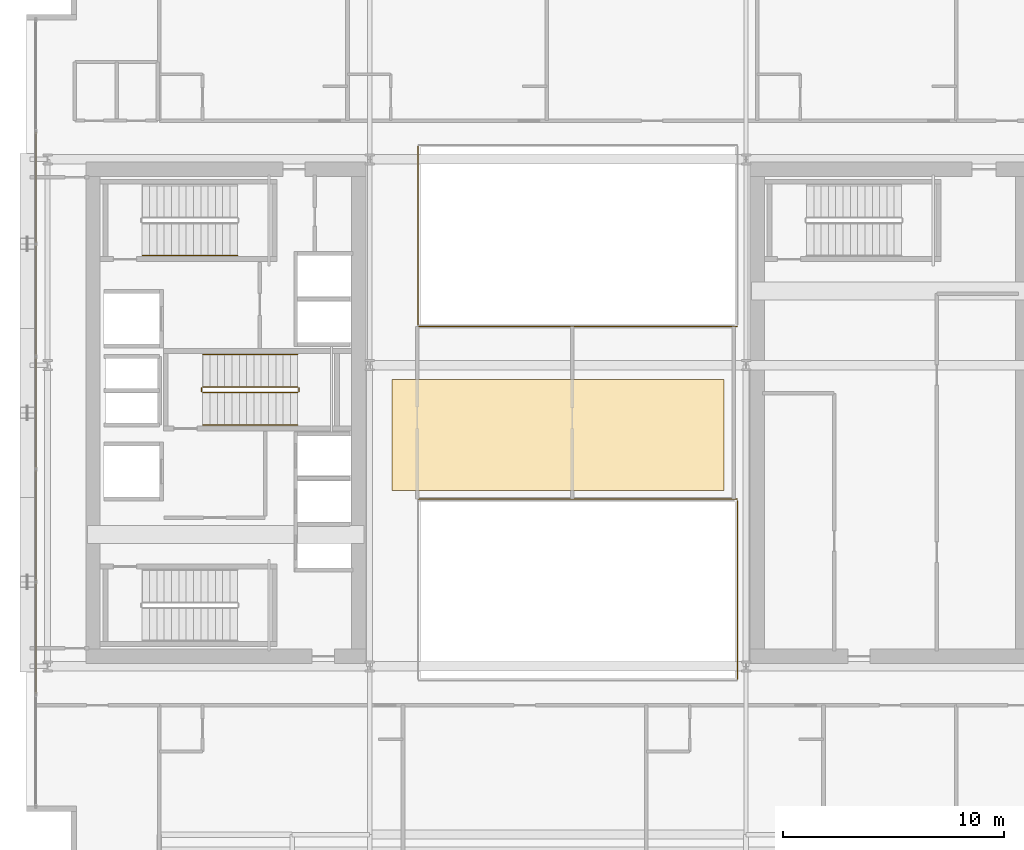
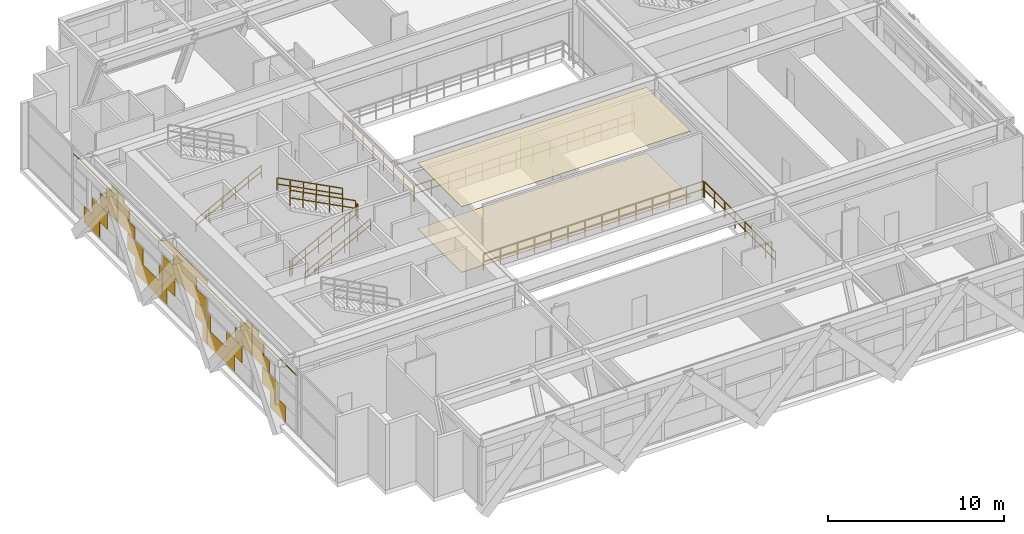
# One storey, part 33 of 35: 11 railings, 3 coverings.
"""IFC4 building model written with IfcOpenShell, lengths in metres."""

from ifc_helpers import new_model, si_unit, direction, frame, origin, origin_2d, place, context, subcontext, project, spatial, polyline, rectangle, outline, extrude, material, layer, layer_set, type_object, element, save


model = new_model("IFC4")

# Units and contexts
model_context = context("Model", 3, precision=1e-05, world=origin(), true_north=direction((0.0, 1.0)))
body_context = subcontext(model_context, "Body", "Model", "MODEL_VIEW")
ifc_project = project(units=[si_unit("LENGTHUNIT", "METRE"), si_unit("AREAUNIT", "SQUARE_METRE"), si_unit("VOLUMEUNIT", "CUBIC_METRE"), si_unit("PLANEANGLEUNIT", "RADIAN"), si_unit("MASSUNIT", "GRAM", prefix="KILO")], contexts=[model_context])

# Site, building, storey
site_placement = place(None, origin())
site = spatial("IfcSite", under=ifc_project, at=site_placement, CompositionType="ELEMENT")
building_placement = place(site_placement, origin())
building = spatial("IfcBuilding", under=site, at=building_placement, Name="Ocotamira Hotel", CompositionType="ELEMENT")
storey_placement = place(building_placement, frame((0.0, 0.0, 158.39990234375)))
storey = spatial("IfcBuildingStorey", under=building, at=storey_placement, Name="L39", CompositionType="ELEMENT", Elevation=158.39990234375)

# Coverings
ifc_material_1 = material(Name="Perforated acoustic gypsum ceiling board", Category="gypsum")
ifc_layer_1 = layer(ifc_material_1, 0.02490234375)
ifc_layer_set_1 = layer_set([ifc_layer_1], Name="Perforated acoustic gypsum ceiling board")
covering_type_1 = type_object("IfcCoveringType", Name="COV-CEIL-25", PredefinedType="CEILING", material=ifc_layer_set_1)
covering_1_placement = place(storey_placement, frame((0.0, 0.0, 4.545166015625)))
element("IfcCovering", 1, at=covering_1_placement, inside=storey, type_object=covering_type_1, Name="L39 Acoustic Ceiling", PredefinedType="CEILING", context=body_context, shape_type="SweptSolid", body=[
    extrude(outline(polyline([(24.5, 22.5), (39.5, 22.5), (39.5, 27.5), (24.5, 27.5), (24.5, 22.5)])), origin(), (0.0, 0.0, 1.0), 0.02490234375),
])
ifc_material_2 = material(Name="Honed desert travertine stone flooring", Category="masonry")
ifc_layer_2 = layer(ifc_material_2, 0.030029296875)
ifc_layer_set_2 = layer_set([ifc_layer_2], Name="Honed desert travertine stone flooring")
covering_type_2 = type_object("IfcCoveringType", Name="COV-FLOR-30", PredefinedType="FLOORING", material=ifc_layer_set_2)
covering_2_placement = place(storey_placement, origin())
element("IfcCovering", 2, at=covering_2_placement, inside=storey, type_object=covering_type_2, Name="L39 Honed Stone Floor Finish", PredefinedType="FLOORING", context=body_context, shape_type="SweptSolid", body=[
    extrude(outline(polyline([(24.5, 22.5), (39.5, 22.5), (39.5, 27.5), (24.5, 27.5), (24.5, 22.5)])), origin(), (0.0, 0.0, 1.0), 0.030029296875),
])
ifc_material_3 = material(Name="Insulated pale-metal aluminium spandrel panel", Category="aluminium")
ifc_layer_3 = layer(ifc_material_3, 0.044921875)
ifc_layer_set_3 = layer_set([ifc_layer_3], Name="Insulated pale-metal aluminium spandrel panel")
covering_type_3 = type_object("IfcCoveringType", Name="COV-INFILL-45", PredefinedType="CLADDING", material=ifc_layer_set_3)
covering_3_placement = place(storey_placement, origin())
element("IfcCovering", 3, at=covering_3_placement, inside=storey, type_object=covering_type_3, Name="L39 Curtain Wall Infill CW-5 CW-L39-W", PredefinedType="CLADDING", context=body_context, shape_type="SweptSolid", body=[
    extrude(rectangle(XDim=1.77001953125, YDim=0.044921875, at=origin_2d()), frame((8.419921875, 15.46630859375, 0.07568359375), z_axis=(0.0, 0.0, 1.0), x_axis=(0.0, 1.0, 0.0)), (0.0, 0.0, 1.0), 1.117919921875),
    extrude(rectangle(XDim=1.77001953125, YDim=0.044921875, at=origin_2d()), frame((8.419921875, 16.3466796875, 1.1943359375), z_axis=(0.0, 0.0, 1.0), x_axis=(0.0, 1.0, 0.0)), (0.0, 0.0, 1.0), 1.117919921875),
    extrude(rectangle(XDim=5.004638671875, YDim=0.044921875, at=origin_2d()), frame((8.419921875, 15.82861328125, 4.048828125), z_axis=(0.0, 0.0, 1.0), x_axis=(0.0, 1.0, 0.0)), (0.0, 0.0, 1.0), 0.073974609375),
    extrude(rectangle(XDim=1.929931640625, YDim=0.044921875, at=origin_2d()), frame((8.419921875, 17.365966796875, 2.38818359375), z_axis=(0.0, 0.0, 1.0), x_axis=(0.0, 1.0, 0.0)), (0.0, 0.0, 1.0), 0.829345703125),
    extrude(rectangle(XDim=1.276611328125, YDim=0.044921875, at=origin_2d()), frame((8.419921875, 17.692626953125, 3.21875), z_axis=(0.0, 0.0, 1.0), x_axis=(0.0, 1.0, 0.0)), (0.0, 0.0, 1.0), 0.829345703125),
    extrude(rectangle(XDim=0.659423828125, YDim=0.044921875, at=origin_2d()), frame((8.419921875, 18.001220703125, 4.12353515625), z_axis=(0.0, 0.0, 1.0), x_axis=(0.0, 1.0, 0.0)), (0.0, 0.0, 1.0), 0.370849609375),
    extrude(rectangle(XDim=1.770263671875, YDim=0.044921875, at=origin_2d()), frame((8.419921875, 20.38671875, 1.1943359375), z_axis=(0.0, 0.0, 1.0), x_axis=(0.0, 1.0, 0.0)), (0.0, 0.0, 1.0), 1.117919921875),
    extrude(rectangle(XDim=3.03466796875, YDim=0.044921875, at=origin_2d()), frame((8.419921875, 21.8994140625, 0.07568359375), z_axis=(0.0, 0.0, 1.0), x_axis=(0.0, 1.0, 0.0)), (0.0, 0.0, 1.0), 1.117919921875),
    extrude(rectangle(XDim=0.32177734375, YDim=0.044921875, at=origin_2d()), frame((8.419921875, 23.255859375, 1.1943359375), z_axis=(0.0, 0.0, 1.0), x_axis=(0.0, 1.0, 0.0)), (0.0, 0.0, 1.0), 1.117919921875),
    extrude(rectangle(XDim=1.92041015625, YDim=0.044921875, at=origin_2d()), frame((8.419921875, 19.3720703125, 2.38818359375), z_axis=(0.0, 0.0, 1.0), x_axis=(0.0, 1.0, 0.0)), (0.0, 0.0, 1.0), 0.829345703125),
    extrude(rectangle(XDim=1.266845703125, YDim=0.044921875, at=origin_2d()), frame((8.419921875, 19.04541015625, 3.21875), z_axis=(0.0, 0.0, 1.0), x_axis=(0.0, 1.0, 0.0)), (0.0, 0.0, 1.0), 0.829345703125),
    extrude(rectangle(XDim=5.004638671875, YDim=0.044921875, at=origin_2d()), frame((8.419921875, 20.914306640625, 4.048828125), z_axis=(0.0, 0.0, 1.0), x_axis=(0.0, 1.0, 0.0)), (0.0, 0.0, 1.0), 0.073974609375),
    extrude(rectangle(XDim=0.64990234375, YDim=0.044921875, at=origin_2d()), frame((8.419921875, 18.73681640625, 4.12353515625), z_axis=(0.0, 0.0, 1.0), x_axis=(0.0, 1.0, 0.0)), (0.0, 0.0, 1.0), 0.370849609375),
    extrude(rectangle(XDim=0.487060546875, YDim=0.044921875, at=origin_2d()), frame((8.419921875, 23.7412109375, 0.07568359375), z_axis=(0.0, 0.0, 1.0), x_axis=(0.0, 1.0, 0.0)), (0.0, 0.0, 1.0), 1.117919921875),
    extrude(rectangle(XDim=1.367431640625, YDim=0.044921875, at=origin_2d()), frame((8.419921875, 24.181396484375, 1.1943359375), z_axis=(0.0, 0.0, 1.0), x_axis=(0.0, 1.0, 0.0)), (0.0, 0.0, 1.0), 1.117919921875),
    extrude(rectangle(XDim=1.367431640625, YDim=0.044921875, at=origin_2d()), frame((8.419921875, 27.818603515625, 1.1943359375), z_axis=(0.0, 0.0, 1.0), x_axis=(0.0, 1.0, 0.0)), (0.0, 0.0, 1.0), 1.117919921875),
    extrude(rectangle(XDim=0.487060546875, YDim=0.044921875, at=origin_2d()), frame((8.419921875, 28.2587890625, 0.07568359375), z_axis=(0.0, 0.0, 1.0), x_axis=(0.0, 1.0, 0.0)), (0.0, 0.0, 1.0), 1.117919921875),
    extrude(rectangle(XDim=5.004638671875, YDim=0.044921875, at=origin_2d()), frame((8.419921875, 26.0, 2.38818359375), z_axis=(0.0, 0.0, 1.0), x_axis=(0.0, 1.0, 0.0)), (0.0, 0.0, 1.0), 0.829345703125),
    extrude(rectangle(XDim=5.004638671875, YDim=0.044921875, at=origin_2d()), frame((8.419921875, 26.0, 4.048828125), z_axis=(0.0, 0.0, 1.0), x_axis=(0.0, 1.0, 0.0)), (0.0, 0.0, 1.0), 0.44580078125),
    extrude(rectangle(XDim=2.62451171875, YDim=0.044921875, at=origin_2d()), frame((8.419921875, 26.0, 3.21875), z_axis=(0.0, 0.0, 1.0), x_axis=(0.0, 1.0, 0.0)), (0.0, 0.0, 1.0), 0.829345703125),
    extrude(rectangle(XDim=3.03466796875, YDim=0.044921875, at=origin_2d()), frame((8.419921875, 30.1005859375, 0.07568359375), z_axis=(0.0, 0.0, 1.0), x_axis=(0.0, 1.0, 0.0)), (0.0, 0.0, 1.0), 1.117919921875),
    extrude(rectangle(XDim=0.32177734375, YDim=0.044921875, at=origin_2d()), frame((8.419921875, 28.744140625, 1.1943359375), z_axis=(0.0, 0.0, 1.0), x_axis=(0.0, 1.0, 0.0)), (0.0, 0.0, 1.0), 1.117919921875),
    extrude(rectangle(XDim=1.770263671875, YDim=0.044921875, at=origin_2d()), frame((8.419921875, 31.61328125, 1.1943359375), z_axis=(0.0, 0.0, 1.0), x_axis=(0.0, 1.0, 0.0)), (0.0, 0.0, 1.0), 1.117919921875),
    extrude(rectangle(XDim=5.004638671875, YDim=0.044921875, at=origin_2d()), frame((8.419921875, 31.085693359375, 4.048828125), z_axis=(0.0, 0.0, 1.0), x_axis=(0.0, 1.0, 0.0)), (0.0, 0.0, 1.0), 0.073974609375),
    extrude(rectangle(XDim=1.92041015625, YDim=0.044921875, at=origin_2d()), frame((8.419921875, 32.6279296875, 2.38818359375), z_axis=(0.0, 0.0, 1.0), x_axis=(0.0, 1.0, 0.0)), (0.0, 0.0, 1.0), 0.829345703125),
    extrude(rectangle(XDim=1.266845703125, YDim=0.044921875, at=origin_2d()), frame((8.419921875, 32.95458984375, 3.21875), z_axis=(0.0, 0.0, 1.0), x_axis=(0.0, 1.0, 0.0)), (0.0, 0.0, 1.0), 0.829345703125),
    extrude(rectangle(XDim=0.64990234375, YDim=0.044921875, at=origin_2d()), frame((8.419921875, 33.26318359375, 4.12353515625), z_axis=(0.0, 0.0, 1.0), x_axis=(0.0, 1.0, 0.0)), (0.0, 0.0, 1.0), 0.370849609375),
    extrude(rectangle(XDim=1.77001953125, YDim=0.044921875, at=origin_2d()), frame((8.419921875, 35.6533203125, 1.1943359375), z_axis=(0.0, 0.0, 1.0), x_axis=(0.0, 1.0, 0.0)), (0.0, 0.0, 1.0), 1.117919921875),
    extrude(rectangle(XDim=1.77001953125, YDim=0.044921875, at=origin_2d()), frame((8.419921875, 36.53369140625, 0.07568359375), z_axis=(0.0, 0.0, 1.0), x_axis=(0.0, 1.0, 0.0)), (0.0, 0.0, 1.0), 1.117919921875),
    extrude(rectangle(XDim=1.929931640625, YDim=0.044921875, at=origin_2d()), frame((8.419921875, 34.634033203125, 2.38818359375), z_axis=(0.0, 0.0, 1.0), x_axis=(0.0, 1.0, 0.0)), (0.0, 0.0, 1.0), 0.829345703125),
    extrude(rectangle(XDim=1.276611328125, YDim=0.044921875, at=origin_2d()), frame((8.419921875, 34.307373046875, 3.21875), z_axis=(0.0, 0.0, 1.0), x_axis=(0.0, 1.0, 0.0)), (0.0, 0.0, 1.0), 0.829345703125),
    extrude(rectangle(XDim=5.004638671875, YDim=0.044921875, at=origin_2d()), frame((8.419921875, 36.17138671875, 4.048828125), z_axis=(0.0, 0.0, 1.0), x_axis=(0.0, 1.0, 0.0)), (0.0, 0.0, 1.0), 0.073974609375),
    extrude(rectangle(XDim=0.659423828125, YDim=0.044921875, at=origin_2d()), frame((8.419921875, 33.998779296875, 4.12353515625), z_axis=(0.0, 0.0, 1.0), x_axis=(0.0, 1.0, 0.0)), (0.0, 0.0, 1.0), 0.370849609375),
])

# Railings
ifc_material_4 = material(Name="Painted steel stair guardrail", Category="steel")
railing_type_1 = type_object("IfcRailingType", Name="RL-EDGE-1150", PredefinedType="GUARDRAIL", material=ifc_material_4)
railing_1_placement = place(storey_placement, frame((40.1201171875, 13.97998046875, 0.0)))
element("IfcRailing", 4, at=railing_1_placement, inside=storey, type_object=railing_type_1, Name="L39 Atrium Bridge Lightwell Guard S E", PredefinedType="GUARDRAIL", context=body_context, shape_type="SweptSolid", body=[
    extrude(rectangle(XDim=0.048095703125, YDim=0.048095703125, at=origin_2d()), frame((0.0, 0.0, 1.1259765625), z_axis=(0.0, 1.0, 0.0), x_axis=(-1.0, 0.0, 0.0)), (0.0, 0.0, 1.0), 8.0400390625),
    extrude(rectangle(XDim=0.048095703125, YDim=0.048095703125, at=origin_2d()), frame((0.0, 0.0, 0.574951171875), z_axis=(0.0, 1.0, 0.0), x_axis=(-1.0, 0.0, 0.0)), (0.0, 0.0, 1.0), 8.0400390625),
    extrude(rectangle(XDim=0.0419921875, YDim=0.0419921875, at=origin_2d()), origin(), (0.0, 0.0, 1.0), 1.101806640625),
    extrude(rectangle(XDim=0.0419921875, YDim=0.0419921875, at=origin_2d()), frame((0.0, 1.148681640625, 0.0)), (0.0, 0.0, 1.0), 1.101806640625),
    extrude(rectangle(XDim=0.0419921875, YDim=0.0419921875, at=origin_2d()), frame((0.0, 2.297119140625, 0.0)), (0.0, 0.0, 1.0), 1.101806640625),
    extrude(rectangle(XDim=0.0419921875, YDim=0.0419921875, at=origin_2d()), frame((0.0, 3.44580078125, 0.0)), (0.0, 0.0, 1.0), 1.101806640625),
    extrude(rectangle(XDim=0.0419921875, YDim=0.0419921875, at=origin_2d()), frame((0.0, 4.59423828125, 0.0)), (0.0, 0.0, 1.0), 1.101806640625),
    extrude(rectangle(XDim=0.0419921875, YDim=0.0419921875, at=origin_2d()), frame((0.0, 5.742919921875, 0.0)), (0.0, 0.0, 1.0), 1.101806640625),
    extrude(rectangle(XDim=0.0419921875, YDim=0.0419921875, at=origin_2d()), frame((0.0, 6.891357421875, 0.0)), (0.0, 0.0, 1.0), 1.101806640625),
    extrude(rectangle(XDim=0.0419921875, YDim=0.0419921875, at=origin_2d()), frame((0.0, 8.0400390625, 0.0)), (0.0, 0.0, 1.0), 1.101806640625),
])
railing_2_placement = place(storey_placement, frame((40.10009765625, 22.10009765625, 0.0)))
element("IfcRailing", 5, at=railing_2_placement, inside=storey, type_object=railing_type_1, Name="L39 Atrium Bridge Lightwell Guard S N", PredefinedType="GUARDRAIL", context=body_context, shape_type="SweptSolid", body=[
    extrude(rectangle(XDim=0.048095703125, YDim=0.048095703125, at=origin_2d()), frame((0.0, 0.0, 1.1259765625), z_axis=(-1.0, 0.0, 0.0), x_axis=(0.0, -1.0, 0.0)), (0.0, 0.0, 1.0), 14.400146484375),
    extrude(rectangle(XDim=0.048095703125, YDim=0.048095703125, at=origin_2d()), frame((0.0, 0.0, 0.574951171875), z_axis=(-1.0, 0.0, 0.0), x_axis=(0.0, -1.0, 0.0)), (0.0, 0.0, 1.0), 14.400146484375),
    extrude(rectangle(XDim=0.0419921875, YDim=0.0419921875, at=origin_2d()), origin(), (0.0, 0.0, 1.0), 1.101806640625),
    extrude(rectangle(XDim=0.0419921875, YDim=0.0419921875, at=origin_2d()), frame((-1.107666015625, 0.0, 0.0)), (0.0, 0.0, 1.0), 1.101806640625),
    extrude(rectangle(XDim=0.0419921875, YDim=0.0419921875, at=origin_2d()), frame((-2.21533203125, 0.0, 0.0)), (0.0, 0.0, 1.0), 1.101806640625),
    extrude(rectangle(XDim=0.0419921875, YDim=0.0419921875, at=origin_2d()), frame((-3.322998046875, 0.0, 0.0)), (0.0, 0.0, 1.0), 1.101806640625),
    extrude(rectangle(XDim=0.0419921875, YDim=0.0419921875, at=origin_2d()), frame((-4.430908203125, 0.0, 0.0)), (0.0, 0.0, 1.0), 1.101806640625),
    extrude(rectangle(XDim=0.0419921875, YDim=0.0419921875, at=origin_2d()), frame((-5.53857421875, 0.0, 0.0)), (0.0, 0.0, 1.0), 1.101806640625),
    extrude(rectangle(XDim=0.0419921875, YDim=0.0419921875, at=origin_2d()), frame((-6.646240234375, 0.0, 0.0)), (0.0, 0.0, 1.0), 1.101806640625),
    extrude(rectangle(XDim=0.0419921875, YDim=0.0419921875, at=origin_2d()), frame((-7.75390625, 0.0, 0.0)), (0.0, 0.0, 1.0), 1.101806640625),
    extrude(rectangle(XDim=0.0419921875, YDim=0.0419921875, at=origin_2d()), frame((-8.861572265625, 0.0, 0.0)), (0.0, 0.0, 1.0), 1.101806640625),
    extrude(rectangle(XDim=0.0419921875, YDim=0.0419921875, at=origin_2d()), frame((-9.96923828125, 0.0, 0.0)), (0.0, 0.0, 1.0), 1.101806640625),
    extrude(rectangle(XDim=0.0419921875, YDim=0.0419921875, at=origin_2d()), frame((-11.0771484375, 0.0, 0.0)), (0.0, 0.0, 1.0), 1.101806640625),
    extrude(rectangle(XDim=0.0419921875, YDim=0.0419921875, at=origin_2d()), frame((-12.184814453125, 0.0, 0.0)), (0.0, 0.0, 1.0), 1.101806640625),
    extrude(rectangle(XDim=0.0419921875, YDim=0.0419921875, at=origin_2d()), frame((-13.29248046875, 0.0, 0.0)), (0.0, 0.0, 1.0), 1.101806640625),
    extrude(rectangle(XDim=0.0419921875, YDim=0.0419921875, at=origin_2d()), frame((-14.400146484375, 0.0, 0.0)), (0.0, 0.0, 1.0), 1.101806640625),
])
railing_3_placement = place(storey_placement, frame((25.699951171875, 29.89990234375, 0.0)))
element("IfcRailing", 6, at=railing_3_placement, inside=storey, type_object=railing_type_1, Name="L39 Atrium Bridge Lightwell Guard N S", PredefinedType="GUARDRAIL", context=body_context, shape_type="SweptSolid", body=[
    extrude(rectangle(XDim=0.048095703125, YDim=0.048095703125, at=origin_2d()), frame((0.0, 0.0, 1.1259765625), z_axis=(1.0, 0.0, 0.0), x_axis=(0.0, 1.0, 0.0)), (0.0, 0.0, 1.0), 14.400146484375),
    extrude(rectangle(XDim=0.048095703125, YDim=0.048095703125, at=origin_2d()), frame((0.0, 0.0, 0.574951171875), z_axis=(1.0, 0.0, 0.0), x_axis=(0.0, 1.0, 0.0)), (0.0, 0.0, 1.0), 14.400146484375),
    extrude(rectangle(XDim=0.0419921875, YDim=0.0419921875, at=origin_2d()), origin(), (0.0, 0.0, 1.0), 1.101806640625),
    extrude(rectangle(XDim=0.0419921875, YDim=0.0419921875, at=origin_2d()), frame((1.107666015625, 0.0, 0.0)), (0.0, 0.0, 1.0), 1.101806640625),
    extrude(rectangle(XDim=0.0419921875, YDim=0.0419921875, at=origin_2d()), frame((2.21533203125, 0.0, 0.0)), (0.0, 0.0, 1.0), 1.101806640625),
    extrude(rectangle(XDim=0.0419921875, YDim=0.0419921875, at=origin_2d()), frame((3.322998046875, 0.0, 0.0)), (0.0, 0.0, 1.0), 1.101806640625),
    extrude(rectangle(XDim=0.0419921875, YDim=0.0419921875, at=origin_2d()), frame((4.430908203125, 0.0, 0.0)), (0.0, 0.0, 1.0), 1.101806640625),
    extrude(rectangle(XDim=0.0419921875, YDim=0.0419921875, at=origin_2d()), frame((5.53857421875, 0.0, 0.0)), (0.0, 0.0, 1.0), 1.101806640625),
    extrude(rectangle(XDim=0.0419921875, YDim=0.0419921875, at=origin_2d()), frame((6.646240234375, 0.0, 0.0)), (0.0, 0.0, 1.0), 1.101806640625),
    extrude(rectangle(XDim=0.0419921875, YDim=0.0419921875, at=origin_2d()), frame((7.75390625, 0.0, 0.0)), (0.0, 0.0, 1.0), 1.101806640625),
    extrude(rectangle(XDim=0.0419921875, YDim=0.0419921875, at=origin_2d()), frame((8.861572265625, 0.0, 0.0)), (0.0, 0.0, 1.0), 1.101806640625),
    extrude(rectangle(XDim=0.0419921875, YDim=0.0419921875, at=origin_2d()), frame((9.96923828125, 0.0, 0.0)), (0.0, 0.0, 1.0), 1.101806640625),
    extrude(rectangle(XDim=0.0419921875, YDim=0.0419921875, at=origin_2d()), frame((11.0771484375, 0.0, 0.0)), (0.0, 0.0, 1.0), 1.101806640625),
    extrude(rectangle(XDim=0.0419921875, YDim=0.0419921875, at=origin_2d()), frame((12.184814453125, 0.0, 0.0)), (0.0, 0.0, 1.0), 1.101806640625),
    extrude(rectangle(XDim=0.0419921875, YDim=0.0419921875, at=origin_2d()), frame((13.29248046875, 0.0, 0.0)), (0.0, 0.0, 1.0), 1.101806640625),
    extrude(rectangle(XDim=0.0419921875, YDim=0.0419921875, at=origin_2d()), frame((14.400146484375, 0.0, 0.0)), (0.0, 0.0, 1.0), 1.101806640625),
])
railing_4_placement = place(storey_placement, frame((25.679931640625, 38.02001953125, 0.0)))
element("IfcRailing", 7, at=railing_4_placement, inside=storey, type_object=railing_type_1, Name="L39 Atrium Bridge Lightwell Guard N W", PredefinedType="GUARDRAIL", context=body_context, shape_type="SweptSolid", body=[
    extrude(rectangle(XDim=0.048095703125, YDim=0.048095703125, at=origin_2d()), frame((0.0, 0.0, 1.1259765625), z_axis=(0.0, -1.0, 0.0), x_axis=(1.0, 0.0, 0.0)), (0.0, 0.0, 1.0), 8.0400390625),
    extrude(rectangle(XDim=0.048095703125, YDim=0.048095703125, at=origin_2d()), frame((0.0, 0.0, 0.574951171875), z_axis=(0.0, -1.0, 0.0), x_axis=(1.0, 0.0, 0.0)), (0.0, 0.0, 1.0), 8.0400390625),
    extrude(rectangle(XDim=0.0419921875, YDim=0.0419921875, at=origin_2d()), origin(), (0.0, 0.0, 1.0), 1.101806640625),
    extrude(rectangle(XDim=0.0419921875, YDim=0.0419921875, at=origin_2d()), frame((0.0, -1.148681640625, 0.0)), (0.0, 0.0, 1.0), 1.101806640625),
    extrude(rectangle(XDim=0.0419921875, YDim=0.0419921875, at=origin_2d()), frame((0.0, -2.297119140625, 0.0)), (0.0, 0.0, 1.0), 1.101806640625),
    extrude(rectangle(XDim=0.0419921875, YDim=0.0419921875, at=origin_2d()), frame((0.0, -3.44580078125, 0.0)), (0.0, 0.0, 1.0), 1.101806640625),
    extrude(rectangle(XDim=0.0419921875, YDim=0.0419921875, at=origin_2d()), frame((0.0, -4.59423828125, 0.0)), (0.0, 0.0, 1.0), 1.101806640625),
    extrude(rectangle(XDim=0.0419921875, YDim=0.0419921875, at=origin_2d()), frame((0.0, -5.742919921875, 0.0)), (0.0, 0.0, 1.0), 1.101806640625),
    extrude(rectangle(XDim=0.0419921875, YDim=0.0419921875, at=origin_2d()), frame((0.0, -6.891357421875, 0.0)), (0.0, 0.0, 1.0), 1.101806640625),
    extrude(rectangle(XDim=0.0419921875, YDim=0.0419921875, at=origin_2d()), frame((0.0, -8.0400390625, 0.0)), (0.0, 0.0, 1.0), 1.101806640625),
])
ifc_material_5 = material(Name="Brushed stainless steel handrail", Category="steel")
railing_type_2 = type_object("IfcRailingType", Name="RL-HAND-900", PredefinedType="HANDRAIL", material=ifc_material_5)
for number, where, name in (
    (8, (13.22998046875, 33.10009765625, 0.343017578125), "L39 ST-2 stair handrail 1"),
    (9, (15.9599609375, 25.449951171875, 0.343017578125), "L39 ST-3 stair handrail 1"),
):
    element("IfcRailing", number, at=place(storey_placement, frame(where)), inside=storey, type_object=railing_type_2, Name=name, PredefinedType="HANDRAIL", context=body_context, shape_type="SweptSolid", body=[
        extrude(rectangle(XDim=0.048095703125, YDim=0.048095703125, at=origin_2d()), frame((0.0, 0.0, 0.8759765625), z_axis=(0.887411858541, 0.0, 0.46097743255), x_axis=(0.0, 1.0, 0.0)), (0.0, 0.0, 1.0), 4.834228515625),
        extrude(rectangle(XDim=0.048095703125, YDim=0.048095703125, at=origin_2d()), frame((0.0, 0.0, 0.449951171875), z_axis=(0.887411858541, 0.0, 0.46097743255), x_axis=(0.0, 1.0, 0.0)), (0.0, 0.0, 1.0), 4.834228515625),
        extrude(rectangle(XDim=0.0419921875, YDim=0.0419921875, at=origin_2d()), origin(), (0.0, 0.0, 1.0), 0.851806640625),
        extrude(rectangle(XDim=0.0419921875, YDim=0.0419921875, at=origin_2d()), frame((0.85791015625, 0.0, 0.44580078125)), (0.0, 0.0, 1.0), 0.851806640625),
        extrude(rectangle(XDim=0.0419921875, YDim=0.0419921875, at=origin_2d()), frame((1.716064453125, 0.0, 0.891357421875)), (0.0, 0.0, 1.0), 0.851806640625),
        extrude(rectangle(XDim=0.0419921875, YDim=0.0419921875, at=origin_2d()), frame((2.573974609375, 0.0, 1.337158203125)), (0.0, 0.0, 1.0), 0.851806640625),
        extrude(rectangle(XDim=0.0419921875, YDim=0.0419921875, at=origin_2d()), frame((3.43212890625, 0.0, 1.78271484375)), (0.0, 0.0, 1.0), 0.851806640625),
        extrude(rectangle(XDim=0.0419921875, YDim=0.0419921875, at=origin_2d()), frame((4.2900390625, 0.0, 2.228515625)), (0.0, 0.0, 1.0), 0.851806640625),
    ])
railing_5_placement = place(storey_placement, frame((20.25, 28.6298828125, 2.742919921875)))
element("IfcRailing", 10, at=railing_5_placement, inside=storey, type_object=railing_type_2, Name="L39 ST-3 stair handrail 2", PredefinedType="HANDRAIL", context=body_context, shape_type="SweptSolid", body=[
    extrude(rectangle(XDim=0.048095703125, YDim=0.048095703125, at=origin_2d()), frame((0.0, 0.0, 0.8759765625), z_axis=(-0.887411858541, 0.0, 0.46097743255), x_axis=(0.0, -1.0, 0.0)), (0.0, 0.0, 1.0), 4.834228515625),
    extrude(rectangle(XDim=0.048095703125, YDim=0.048095703125, at=origin_2d()), frame((0.0, 0.0, 0.449951171875), z_axis=(-0.887411858541, 0.0, 0.46097743255), x_axis=(0.0, -1.0, 0.0)), (0.0, 0.0, 1.0), 4.834228515625),
    extrude(rectangle(XDim=0.0419921875, YDim=0.0419921875, at=origin_2d()), origin(), (0.0, 0.0, 1.0), 0.851806640625),
    extrude(rectangle(XDim=0.0419921875, YDim=0.0419921875, at=origin_2d()), frame((-0.85791015625, 0.0, 0.44580078125)), (0.0, 0.0, 1.0), 0.851806640625),
    extrude(rectangle(XDim=0.0419921875, YDim=0.0419921875, at=origin_2d()), frame((-1.716064453125, 0.0, 0.891357421875)), (0.0, 0.0, 1.0), 0.851806640625),
    extrude(rectangle(XDim=0.0419921875, YDim=0.0419921875, at=origin_2d()), frame((-2.573974609375, 0.0, 1.337158203125)), (0.0, 0.0, 1.0), 0.851806640625),
    extrude(rectangle(XDim=0.0419921875, YDim=0.0419921875, at=origin_2d()), frame((-3.43212890625, 0.0, 1.78271484375)), (0.0, 0.0, 1.0), 0.851806640625),
    extrude(rectangle(XDim=0.0419921875, YDim=0.0419921875, at=origin_2d()), frame((-4.2900390625, 0.0, 2.228515625)), (0.0, 0.0, 1.0), 0.851806640625),
])
railing_type_3 = type_object("IfcRailingType", Name="RL-STAIR-1100", PredefinedType="GUARDRAIL", material=ifc_material_4)
railing_6_placement = place(storey_placement, frame((15.9599609375, 26.909912109375, 0.171630859375)))
element("IfcRailing", 11, at=railing_6_placement, inside=storey, type_object=railing_type_3, Name="L39 ST-3 stair guard 1", PredefinedType="GUARDRAIL", context=body_context, shape_type="SweptSolid", body=[
    extrude(rectangle(XDim=0.048095703125, YDim=0.048095703125, at=origin_2d()), frame((0.0, 0.0, 1.076171875), z_axis=(0.887411858541, 0.0, 0.46097743255), x_axis=(0.0, 1.0, 0.0)), (0.0, 0.0, 1.0), 4.834228515625),
    extrude(rectangle(XDim=0.048095703125, YDim=0.048095703125, at=origin_2d()), frame((0.0, 0.0, 0.550048828125), z_axis=(0.887411858541, 0.0, 0.46097743255), x_axis=(0.0, 1.0, 0.0)), (0.0, 0.0, 1.0), 4.834228515625),
    extrude(rectangle(XDim=0.0419921875, YDim=0.0419921875, at=origin_2d()), origin(), (0.0, 0.0, 1.0), 1.052001953125),
    extrude(rectangle(XDim=0.0419921875, YDim=0.0419921875, at=origin_2d()), frame((0.85791015625, 0.0, 0.44580078125)), (0.0, 0.0, 1.0), 1.052001953125),
    extrude(rectangle(XDim=0.0419921875, YDim=0.0419921875, at=origin_2d()), frame((1.716064453125, 0.0, 0.891357421875)), (0.0, 0.0, 1.0), 1.052001953125),
    extrude(rectangle(XDim=0.0419921875, YDim=0.0419921875, at=origin_2d()), frame((2.573974609375, 0.0, 1.337158203125)), (0.0, 0.0, 1.0), 1.052001953125),
    extrude(rectangle(XDim=0.0419921875, YDim=0.0419921875, at=origin_2d()), frame((3.43212890625, 0.0, 1.78271484375)), (0.0, 0.0, 1.0), 1.052001953125),
    extrude(rectangle(XDim=0.0419921875, YDim=0.0419921875, at=origin_2d()), frame((4.2900390625, 0.0, 2.228515625)), (0.0, 0.0, 1.0), 1.052001953125),
])
railing_7_placement = place(storey_placement, frame((20.300048828125, 26.9599609375, 2.400146484375)))
element("IfcRailing", 12, at=railing_7_placement, inside=storey, type_object=railing_type_3, Name="L39 ST-3 stair guard 2", PredefinedType="GUARDRAIL", context=body_context, shape_type="SweptSolid", body=[
    extrude(rectangle(XDim=0.048095703125, YDim=0.048095703125, at=origin_2d()), frame((0.0, 0.0, 1.076171875), z_axis=(0.0, 1.0, 0.0), x_axis=(-1.0, 0.0, 0.0)), (0.0, 0.0, 1.0), 0.16015625),
    extrude(rectangle(XDim=0.048095703125, YDim=0.048095703125, at=origin_2d()), frame((0.0, 0.0, 0.550048828125), z_axis=(0.0, 1.0, 0.0), x_axis=(-1.0, 0.0, 0.0)), (0.0, 0.0, 1.0), 0.16015625),
    extrude(rectangle(XDim=0.0419921875, YDim=0.0419921875, at=origin_2d()), origin(), (0.0, 0.0, 1.0), 1.052001953125),
    extrude(rectangle(XDim=0.0419921875, YDim=0.0419921875, at=origin_2d()), frame((0.0, 0.16015625, 0.0)), (0.0, 0.0, 1.0), 1.052001953125),
])
railing_8_placement = place(storey_placement, frame((20.25, 27.169921875, 2.571533203125)))
element("IfcRailing", 13, at=railing_8_placement, inside=storey, type_object=railing_type_3, Name="L39 ST-3 stair guard 3", PredefinedType="GUARDRAIL", context=body_context, shape_type="SweptSolid", body=[
    extrude(rectangle(XDim=0.048095703125, YDim=0.048095703125, at=origin_2d()), frame((0.0, 0.0, 1.076171875), z_axis=(-0.887411858541, 0.0, 0.46097743255), x_axis=(0.0, -1.0, 0.0)), (0.0, 0.0, 1.0), 4.834228515625),
    extrude(rectangle(XDim=0.048095703125, YDim=0.048095703125, at=origin_2d()), frame((0.0, 0.0, 0.550048828125), z_axis=(-0.887411858541, 0.0, 0.46097743255), x_axis=(0.0, -1.0, 0.0)), (0.0, 0.0, 1.0), 4.834228515625),
    extrude(rectangle(XDim=0.0419921875, YDim=0.0419921875, at=origin_2d()), origin(), (0.0, 0.0, 1.0), 1.052001953125),
    extrude(rectangle(XDim=0.0419921875, YDim=0.0419921875, at=origin_2d()), frame((-0.85791015625, 0.0, 0.44580078125)), (0.0, 0.0, 1.0), 1.052001953125),
    extrude(rectangle(XDim=0.0419921875, YDim=0.0419921875, at=origin_2d()), frame((-1.716064453125, 0.0, 0.891357421875)), (0.0, 0.0, 1.0), 1.052001953125),
    extrude(rectangle(XDim=0.0419921875, YDim=0.0419921875, at=origin_2d()), frame((-2.573974609375, 0.0, 1.337158203125)), (0.0, 0.0, 1.0), 1.052001953125),
    extrude(rectangle(XDim=0.0419921875, YDim=0.0419921875, at=origin_2d()), frame((-3.43212890625, 0.0, 1.78271484375)), (0.0, 0.0, 1.0), 1.052001953125),
    extrude(rectangle(XDim=0.0419921875, YDim=0.0419921875, at=origin_2d()), frame((-4.2900390625, 0.0, 2.228515625)), (0.0, 0.0, 1.0), 1.052001953125),
])
railing_9_placement = place(storey_placement, frame((15.909912109375, 26.9599609375, 0.0)))
element("IfcRailing", 14, at=railing_9_placement, inside=storey, type_object=railing_type_3, Name="L39 ST-3 stair guard 4", PredefinedType="GUARDRAIL", context=body_context, shape_type="SweptSolid", body=[
    extrude(rectangle(XDim=0.048095703125, YDim=0.048095703125, at=origin_2d()), frame((0.0, 0.0, 1.076171875), z_axis=(0.0, 1.0, 0.0), x_axis=(-1.0, 0.0, 0.0)), (0.0, 0.0, 1.0), 0.16015625),
    extrude(rectangle(XDim=0.048095703125, YDim=0.048095703125, at=origin_2d()), frame((0.0, 0.0, 0.550048828125), z_axis=(0.0, 1.0, 0.0), x_axis=(-1.0, 0.0, 0.0)), (0.0, 0.0, 1.0), 0.16015625),
    extrude(rectangle(XDim=0.0419921875, YDim=0.0419921875, at=origin_2d()), origin(), (0.0, 0.0, 1.0), 1.052001953125),
    extrude(rectangle(XDim=0.0419921875, YDim=0.0419921875, at=origin_2d()), frame((0.0, 0.16015625, 0.0)), (0.0, 0.0, 1.0), 1.052001953125),
])

save(model, "model.ifc")
